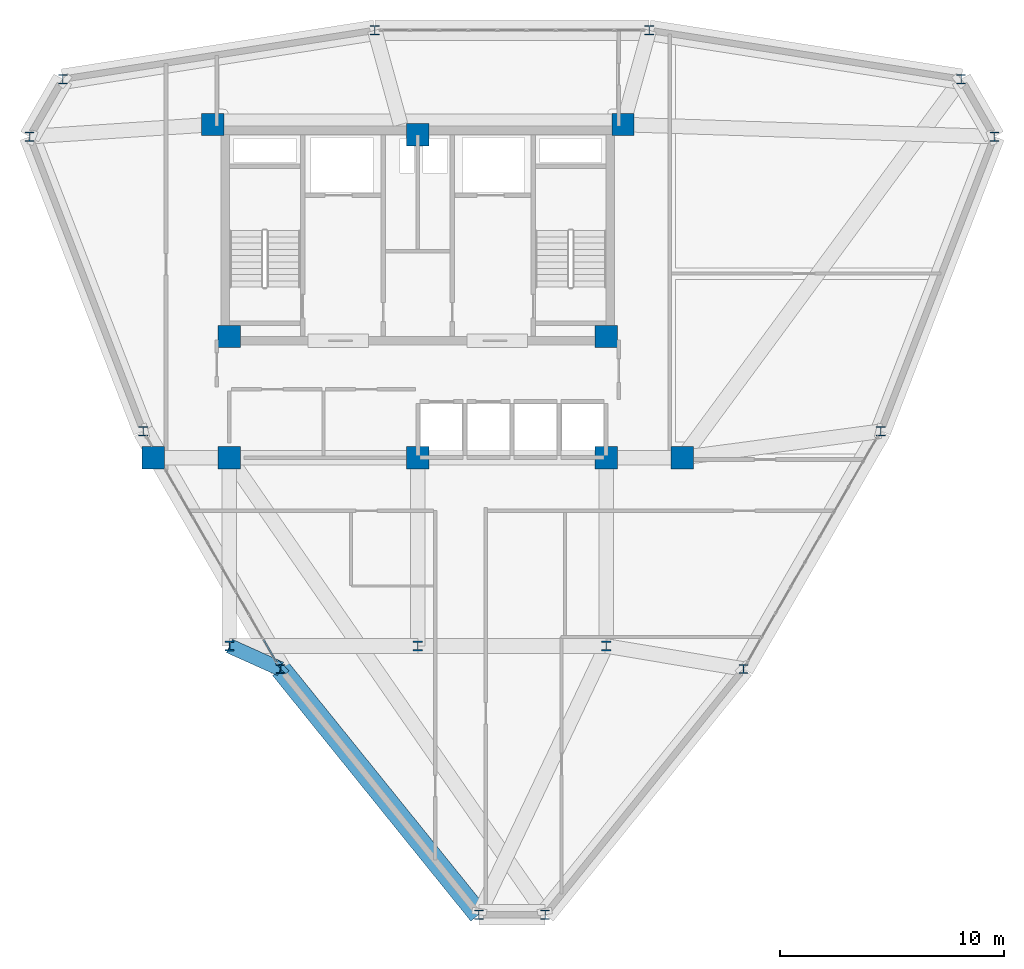
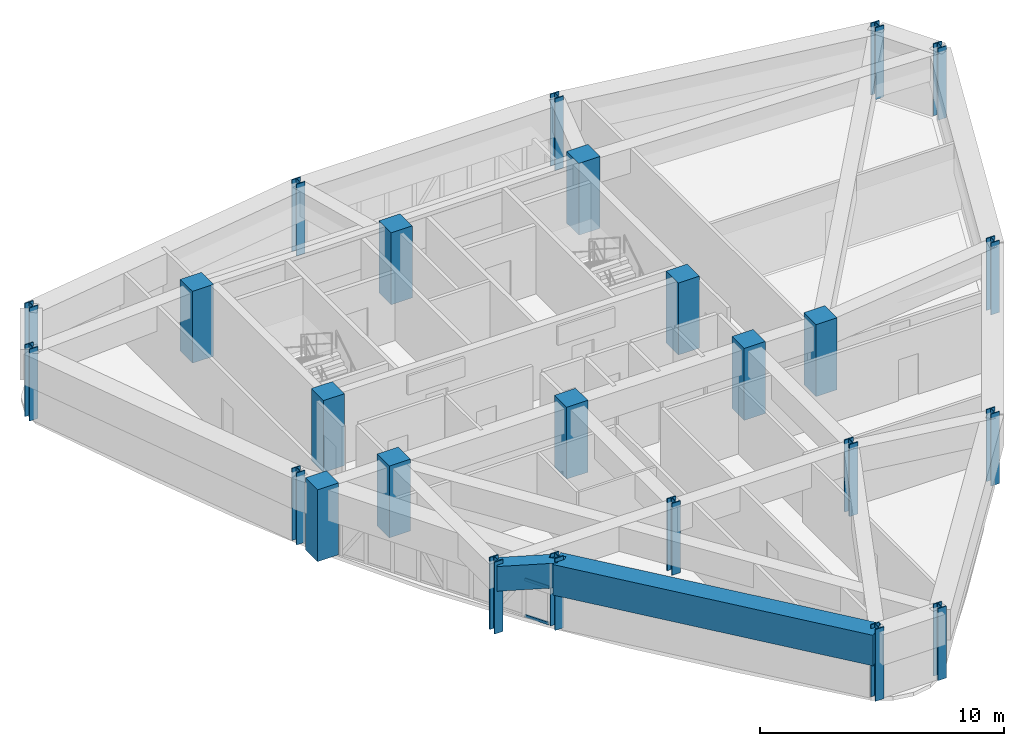
# One storey, part 1 of 19: 25 columns, 3 beams, 2 members, 1 element without a shape of its own.
"""IFC4 building model written with IfcOpenShell, lengths in metres."""

from ifc_helpers import new_model, si_unit, derived_unit, direction, frame, origin, origin_2d, place, context, subcontext, project, spatial, rectangle, hollow_rectangle, i_section, extrude, source, transform, mapped, material, layer, layer_set, material_profile, profile_set, type_object, element, aggregate, save


model = new_model("IFC4")

# Units and contexts
model_context = context("Model", 3, precision=1e-05, world=origin(), true_north=direction((0.0, 1.0)))
body_context = subcontext(model_context, "Body", "Model", "MODEL_VIEW")
ifc_project = project(units=[si_unit("LENGTHUNIT", "METRE"), si_unit("AREAUNIT", "SQUARE_METRE"), si_unit("VOLUMEUNIT", "CUBIC_METRE"), si_unit("PLANEANGLEUNIT", "RADIAN"), si_unit("MASSUNIT", "GRAM", prefix="KILO"), derived_unit("THERMALTRANSMITTANCEUNIT", [(si_unit("POWERUNIT", "WATT"), 1), (si_unit("LENGTHUNIT", "METRE"), -2), (si_unit("THERMODYNAMICTEMPERATUREUNIT", "KELVIN"), -1)])], contexts=[model_context])

# Site, building, storey
site_placement = place(None, origin())
site = spatial("IfcSite", under=ifc_project, at=site_placement, CompositionType="ELEMENT")
building_placement = place(site_placement, origin())
building = spatial("IfcBuilding", under=site, at=building_placement, Name="Korsvarv Bourse and Concert Hall", CompositionType="ELEMENT")
storey_placement = place(building_placement, frame((0.0, 0.0, 223.800048828125)))
storey = spatial("IfcBuildingStorey", under=building, at=storey_placement, Name="L58", CompositionType="ELEMENT", Elevation=223.800048828125)

# Columns
ifc_material_1 = material(Name="Steel S355", Category="steel")
ifc_material_profile_1 = material_profile(ifc_material_1, i_section(OverallWidth=0.412109375, OverallDepth=0.43505859375, WebThickness=0.032958984375, FlangeThickness=0.052978515625, FilletRadius=0.014892578125, at=origin_2d()), Name="HD 400x463")
ifc_profile_set_1 = profile_set([ifc_material_profile_1], Name="Steel S355")
column_type_1 = type_object("IfcColumnType", Name="COL-HD463", PredefinedType="COLUMN", material=ifc_profile_set_1)
shared_shape_1 = source(origin(), body_context, "Body", "SweptSolid", [
    extrude(i_section(OverallWidth=0.412109375, OverallDepth=0.43505859375, WebThickness=0.032958984375, FlangeThickness=0.052978515625, FilletRadius=0.014892578125, at=origin_2d()), origin(), (0.0, 0.0, 1.0), 3.599853515625),
])
for number, where, z_axis, x_axis, name in (
    (1, (27.60009765625, 24.0, 0.0), (0.0, 0.0, 1.0), (1.0, 0.0, 0.0), "L58 column C-09"),
    (2, (44.39990234375, 24.0, 0.0), (0.0, 0.0, 1.0), (1.0, 0.0, 0.0), "L58 column C-09"),
    (3, (36.0, 24.0, 0.0), (0.0, 0.0, 1.0), (1.0, 0.0, 0.0), "L58 column C-09"),
):
    element("IfcColumn", number, at=place(storey_placement, frame(where, z_axis=z_axis, x_axis=x_axis)), inside=storey, type_object=column_type_1, Name=name, PredefinedType="COLUMN", context=body_context, shape_type="MappedRepresentation", body=[
        mapped(shared_shape_1, transform((0.0, 0.0, 0.0), scale=1.0)),
    ])
ifc_material_2 = material(Name="Concrete C55/67", Category="concrete")
ifc_material_profile_2 = material_profile(ifc_material_2, rectangle(XDim=1.0, YDim=1.0, at=origin_2d()), Name="RC 1000x1000")
ifc_profile_set_2 = profile_set([ifc_material_profile_2], Name="Concrete C55/67")
column_type_2 = type_object("IfcColumnType", Name="COL-RC1000", PredefinedType="COLUMN", material=ifc_profile_set_2)
shared_shape_2 = source(origin(), body_context, "Body", "SweptSolid", [
    extrude(rectangle(XDim=1.0, YDim=1.0, at=origin_2d()), origin(), (0.0, 0.0, 1.0), 3.599853515625),
])
for number, where, z_axis, x_axis, name in (
    (4, (26.85009765625, 47.25, 0.0), (0.0, 0.0, 1.0), (1.0, 0.0, 0.0), "L58 column C-03"),
    (5, (45.14990234375, 47.25, 0.0), (0.0, 0.0, 1.0), (1.0, 0.0, 0.0), "L58 column C-03"),
    (6, (27.60009765625, 37.800048828125, 0.0), (0.0, 0.0, 1.0), (1.0, 0.0, 0.0), "L58 column C-03"),
    (7, (44.39990234375, 37.800048828125, 0.0), (0.0, 0.0, 1.0), (1.0, 0.0, 0.0), "L58 column C-03"),
    (8, (27.60009765625, 32.39990234375, 0.0), (0.0, 0.0, 1.0), (1.0, 0.0, 0.0), "L58 column C-03"),
    (9, (44.39990234375, 32.39990234375, 0.0), (0.0, 0.0, 1.0), (1.0, 0.0, 0.0), "L58 column C-03"),
    (10, (36.0, 46.800048828125, 0.0), (0.0, 0.0, 1.0), (1.0, 0.0, 0.0), "L58 column C-03"),
    (11, (36.0, 32.39990234375, 0.0), (0.0, 0.0, 1.0), (1.0, 0.0, 0.0), "L58 column C-03"),
    (12, (24.199951171875, 32.39990234375, 0.0), (0.0, 0.0, 1.0), (1.0, 0.0, 0.0), "L58 column C-03"),
    (13, (47.800048828125, 32.39990234375, 0.0), (0.0, 0.0, 1.0), (1.0, 0.0, 0.0), "L58 column C-03"),
):
    element("IfcColumn", number, at=place(storey_placement, frame(where, z_axis=z_axis, x_axis=x_axis)), inside=storey, type_object=column_type_2, Name=name, PredefinedType="COLUMN", context=body_context, shape_type="MappedRepresentation", body=[
        mapped(shared_shape_2, transform((0.0, 0.0, 0.0), scale=1.0)),
    ])
ifc_material_profile_3 = material_profile(ifc_material_1, i_section(OverallWidth=0.406005859375, OverallDepth=0.416015625, WebThickness=0.027099609375, FlangeThickness=0.0439453125, FilletRadius=0.014892578125, at=origin_2d()), Name="HD 400x382")
ifc_profile_set_3 = profile_set([ifc_material_profile_3], Name="Steel S355")
column_type_3 = type_object("IfcColumnType", Name="COL-HD382", PredefinedType="COLUMN", material=ifc_profile_set_3)
shared_shape_3 = source(origin(), body_context, "Body", "SweptSolid", [
    extrude(i_section(OverallWidth=0.406005859375, OverallDepth=0.416015625, WebThickness=0.027099609375, FlangeThickness=0.0439453125, FilletRadius=0.014892578125, at=origin_2d()), origin(), (0.0, 0.0, 1.0), 3.599853515625),
])
for number, where, z_axis, x_axis, name in (
    (14, (61.70703125, 46.70849609375, 0.0), (0.0, 0.0, 1.0), (1.0, 0.0, 0.0), "L58 column C-10"),
    (15, (60.227294921875, 49.271484375, 0.0), (0.0, 0.0, 1.0), (1.0, 0.0, 0.0), "L58 column C-10"),
    (16, (46.319091796875, 51.449951171875, 0.0), (0.0, 0.0, 1.0), (1.0, 0.0, 0.0), "L58 column C-10"),
    (17, (34.0810546875, 51.449951171875, 0.0), (0.0, 0.0, 1.0), (1.0, 0.0, 0.0), "L58 column C-10"),
    (18, (20.1728515625, 49.271484375, 0.0), (0.0, 0.0, 1.0), (1.0, 0.0, 0.0), "L58 column C-10"),
    (19, (18.69287109375, 46.70849609375, 0.0), (0.0, 0.0, 1.0), (1.0, 0.0, 0.0), "L58 column C-10"),
    (20, (23.760498046875, 33.57421875, 0.0), (0.0, 0.0, 1.0), (1.0, 0.0, 0.0), "L58 column C-10"),
    (21, (29.87939453125, 22.975830078125, 0.0), (0.0, 0.0, 1.0), (1.0, 0.0, 0.0), "L58 column C-10"),
    (22, (38.72021484375, 12.020263671875, 0.0), (0.0, 0.0, 1.0), (1.0, 0.0, 0.0), "L58 column C-10"),
    (23, (41.6796875, 12.020263671875, 0.0), (0.0, 0.0, 1.0), (1.0, 0.0, 0.0), "L58 column C-10"),
    (24, (50.5205078125, 22.975830078125, 0.0), (0.0, 0.0, 1.0), (1.0, 0.0, 0.0), "L58 column C-10"),
    (25, (56.639404296875, 33.57421875, 0.0), (0.0, 0.0, 1.0), (1.0, 0.0, 0.0), "L58 column C-10"),
):
    element("IfcColumn", number, at=place(storey_placement, frame(where, z_axis=z_axis, x_axis=x_axis)), inside=storey, type_object=column_type_3, Name=name, PredefinedType="COLUMN", context=body_context, shape_type="MappedRepresentation", body=[
        mapped(shared_shape_3, transform((0.0, 0.0, 0.0), scale=1.0)),
    ])

# Beams
ifc_material_3 = material(Name="Concrete C50/60", Category="concrete")
ifc_material_profile_4 = material_profile(ifc_material_3, rectangle(XDim=0.919921875, YDim=1.530029296875, at=origin_2d()), Name="RC-BM 920x1530")
ifc_profile_set_4 = profile_set([ifc_material_profile_4], Name="Concrete C50/60")
beam_type_1 = type_object("IfcBeamType", Name="BM-TR-154", PredefinedType="BEAM", material=ifc_profile_set_4)
shared_shape_4 = source(origin(), body_context, "Body", "SweptSolid", [
    extrude(rectangle(XDim=0.919921875, YDim=1.530029296875, at=origin_2d()), origin(), (0.0, 0.0, 1.0), 14.077880859375),
])
beam_1_placement = place(storey_placement, frame((29.87939453125, 22.975830078125, 2.64501953125), z_axis=(0.627997157863, -0.778215631889, 0.0), x_axis=(0.778215631889, 0.627997157863, 0.0)))
element("IfcBeam", 26, at=beam_1_placement, inside=storey, type_object=beam_type_1, Name="L58 beam B-TR6", PredefinedType="BEAM", context=body_context, shape_type="MappedRepresentation", body=[
    mapped(shared_shape_4, transform((0.0, 0.0, 0.0), scale=1.0)),
])
ifc_material_profile_5 = material_profile(ifc_material_3, rectangle(XDim=0.64990234375, YDim=1.239990234375, at=origin_2d()), Name="RC-BM 650x1240")
ifc_profile_set_5 = profile_set([ifc_material_profile_5], Name="Concrete C50/60")
beam_type_2 = type_object("IfcBeamType", Name="BM-TR-SPN", PredefinedType="BEAM", material=ifc_profile_set_5)
shared_shape_5 = source(origin(), body_context, "Body", "SweptSolid", [
    extrude(rectangle(XDim=0.64990234375, YDim=1.239990234375, at=origin_2d()), origin(), (0.0, 0.0, 1.0), 2.498779296875),
])
beam_2_placement = place(storey_placement, frame((29.87939453125, 22.975830078125, 2.7900390625), z_axis=(-0.912148051472, 0.409860869315, 0.0), x_axis=(-0.409860869315, -0.912148051472, 0.0)))
element("IfcBeam", 27, at=beam_2_placement, inside=storey, type_object=beam_type_2, Name="L58 beam B-TRS", PredefinedType="BEAM", context=body_context, shape_type="MappedRepresentation", body=[
    mapped(shared_shape_5, transform((0.0, 0.0, 0.0), scale=1.0)),
])
shared_shape_6 = source(origin(), body_context, "Body", "SweptSolid", [
    extrude(rectangle(XDim=0.64990234375, YDim=1.239990234375, at=origin_2d()), origin(), (0.0, 0.0, 1.0), 0.216552734375),
])
beam_3_placement = place(storey_placement, frame((29.87939453125, 22.975830078125, 2.7900390625), z_axis=(0.703151821641, 0.711039742717, 0.0), x_axis=(-0.711039742717, 0.703151821641, 0.0)))
element("IfcBeam", 28, at=beam_3_placement, inside=storey, type_object=beam_type_2, Name="L58 beam B-TRS", PredefinedType="BEAM", context=body_context, shape_type="MappedRepresentation", body=[
    mapped(shared_shape_6, transform((0.0, 0.0, 0.0), scale=1.0)),
])

# Curtain wall, members
ifc_material_4 = material(Name="Anodised aluminium and triple low-E glazing", Category="glass")
ifc_layer = layer(ifc_material_4, 0.199951171875)
ifc_layer_set = layer_set([ifc_layer], Name="Anodised aluminium and triple low-E glazing")
curtain_wall_type = type_object("IfcCurtainWallType", Name="CW-SYS-3", PredefinedType="NOTDEFINED", material=ifc_layer_set)
curtain_wall_placement = place(storey_placement, origin())
curtain_wall = element("IfcCurtainWall", 29, at=curtain_wall_placement, inside=storey, type_object=curtain_wall_type, Name="L58 CW3 curtain wall CW-L58-F07-2", PredefinedType="NOTDEFINED")
ifc_material_5 = material(Name="Extruded aluminium EN AW-6063 T66", Category="aluminium")
ifc_material_profile_6 = material_profile(ifc_material_5, hollow_rectangle(XDim=0.06494140625, YDim=0.139892578125, WallThickness=0.00390625, at=origin_2d()), Name="ALU-T 65x140")
ifc_profile_set_6 = profile_set([ifc_material_profile_6], Name="Extruded aluminium EN AW-6063 T66")
member_type = type_object("IfcMemberType", Name="CWT-140", PredefinedType="USERDEFINED", material=ifc_profile_set_6)
shared_shape_7 = source(origin(), body_context, "Body", "SweptSolid", [
    extrude(hollow_rectangle(XDim=0.06494140625, YDim=0.139892578125, WallThickness=0.00390625, at=origin_2d()), origin(), (0.0, 0.0, 1.0), 1.140380859375),
])
member_1_placement = place(storey_placement, frame((29.125244140625, 24.281982421875, 0.032470703125), z_axis=(0.499938683108, -0.866060802215, 0.0), x_axis=(0.866060802215, 0.499938683108, 0.0)))
member_1 = element("IfcMember", 30, at=member_1_placement, type_object=member_type, Name="CW3 transom 8.1", ObjectType="TRANSOM", PredefinedType="USERDEFINED", context=body_context, shape_type="MappedRepresentation", body=[
    mapped(shared_shape_7, transform((0.0, 0.0, 0.0), scale=1.0)),
])
member_2_placement = place(storey_placement, frame((29.125244140625, 24.281982421875, 1.847412109375), z_axis=(0.499938683108, -0.866060802215, 0.0), x_axis=(0.866060802215, 0.499938683108, 0.0)))
member_2 = element("IfcMember", 31, at=member_2_placement, type_object=member_type, Name="CW3 transom 8.2", ObjectType="TRANSOM", PredefinedType="USERDEFINED", context=body_context, shape_type="MappedRepresentation", body=[
    mapped(shared_shape_7, transform((0.0, 0.0, 0.0), scale=1.0)),
])
aggregate(curtain_wall, [member_1, member_2])

save(model, "model.ifc")
